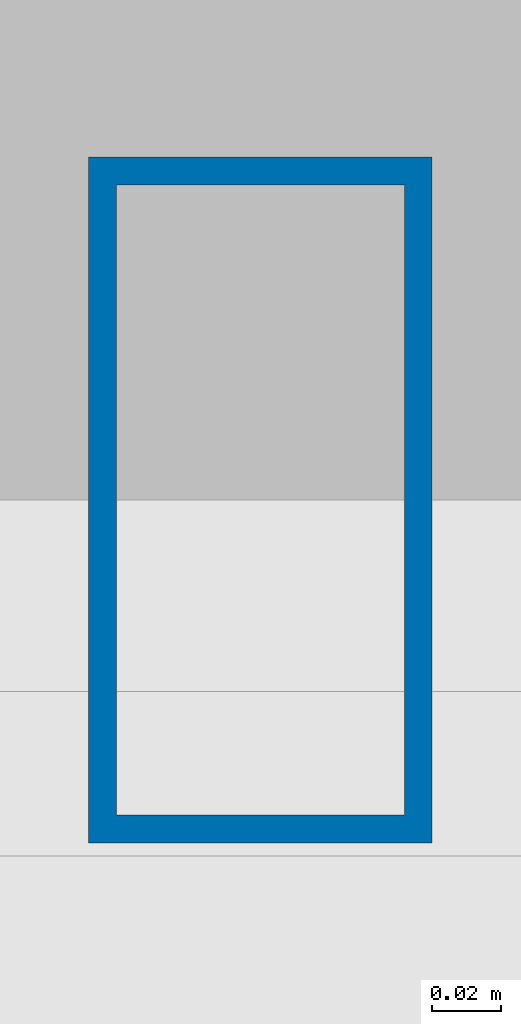
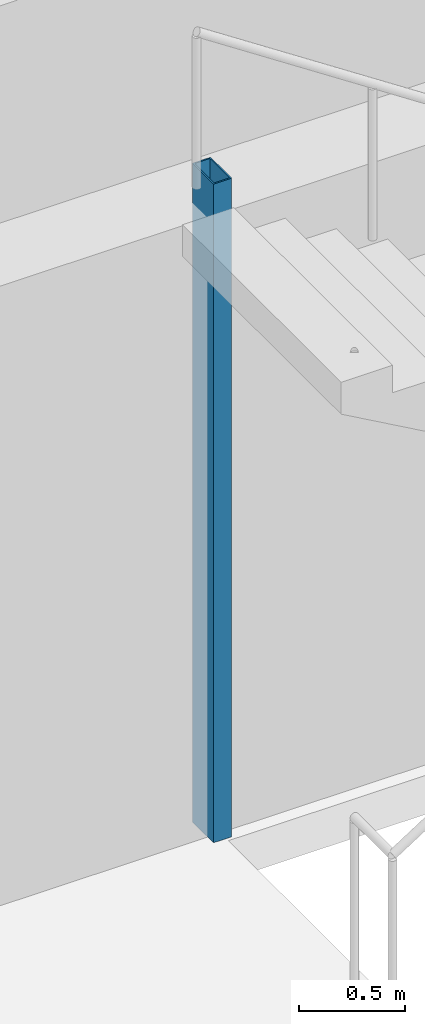
# One storey, part 2 of 16: 1 column.
"""IFC4 building model written with IfcOpenShell, lengths in metres."""

from ifc_helpers import new_model, si_unit, direction, frame, origin, origin_2d, place, context, subcontext, project, spatial, hollow_rectangle, extrude, material, material_profile, profile_set, type_object, element, save


model = new_model("IFC4")

# Units and contexts
model_context = context("Model", 3, precision=1e-05, world=origin(), true_north=direction((0.0, 1.0)))
body_context = subcontext(model_context, "Body", "Model", "MODEL_VIEW")
ifc_project = project(units=[si_unit("LENGTHUNIT", "METRE"), si_unit("AREAUNIT", "SQUARE_METRE"), si_unit("VOLUMEUNIT", "CUBIC_METRE"), si_unit("PLANEANGLEUNIT", "RADIAN"), si_unit("MASSUNIT", "GRAM", prefix="KILO")], contexts=[model_context])

# Site, building, storey
site_placement = place(None, origin())
site = spatial("IfcSite", under=ifc_project, at=site_placement, CompositionType="ELEMENT")
building_placement = place(site_placement, origin())
building = spatial("IfcBuilding", under=site, at=building_placement, Name="Menara Jurai Vektor", CompositionType="ELEMENT")
storey_placement = place(building_placement, frame((0.0, 0.0, 14.199951171875)))
storey = spatial("IfcBuildingStorey", under=building, at=storey_placement, Name="L02", CompositionType="ELEMENT", Elevation=14.199951171875)

# Column
ifc_material = material(Name="Steel S355", Category="steel")
ifc_material_profile = material_profile(ifc_material, hollow_rectangle(XDim=0.10009765625, YDim=0.199951171875, WallThickness=0.008056640625, at=origin_2d()), Name="RHS 200x100x8")
ifc_profile_set = profile_set([ifc_material_profile], Name="Steel S355")
column_type = type_object("IfcColumnType", Name="STR-COL-STAIR", PredefinedType="COLUMN", material=ifc_profile_set)
column_placement = place(storey_placement, frame((-11.1201171875, 5.419921875, 0.0), z_axis=(0.0, 0.0, 1.0), x_axis=(1.0, 0.0, 0.0)))
element("IfcColumn", 1, at=column_placement, inside=storey, type_object=column_type, Name="Stair Well Header Column ST1-P2 L02", PredefinedType="COLUMN", context=body_context, shape_type="SweptSolid", body=[
    extrude(hollow_rectangle(XDim=0.10009765625, YDim=0.199951171875, WallThickness=0.008056640625, at=origin_2d()), origin(), (0.0, 0.0, 1.0), 3.800048828125),
])

save(model, "model.ifc")
